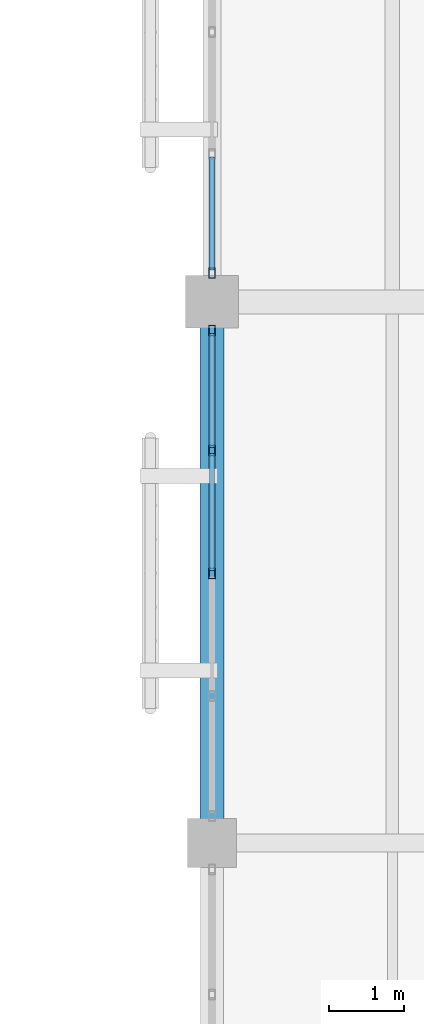
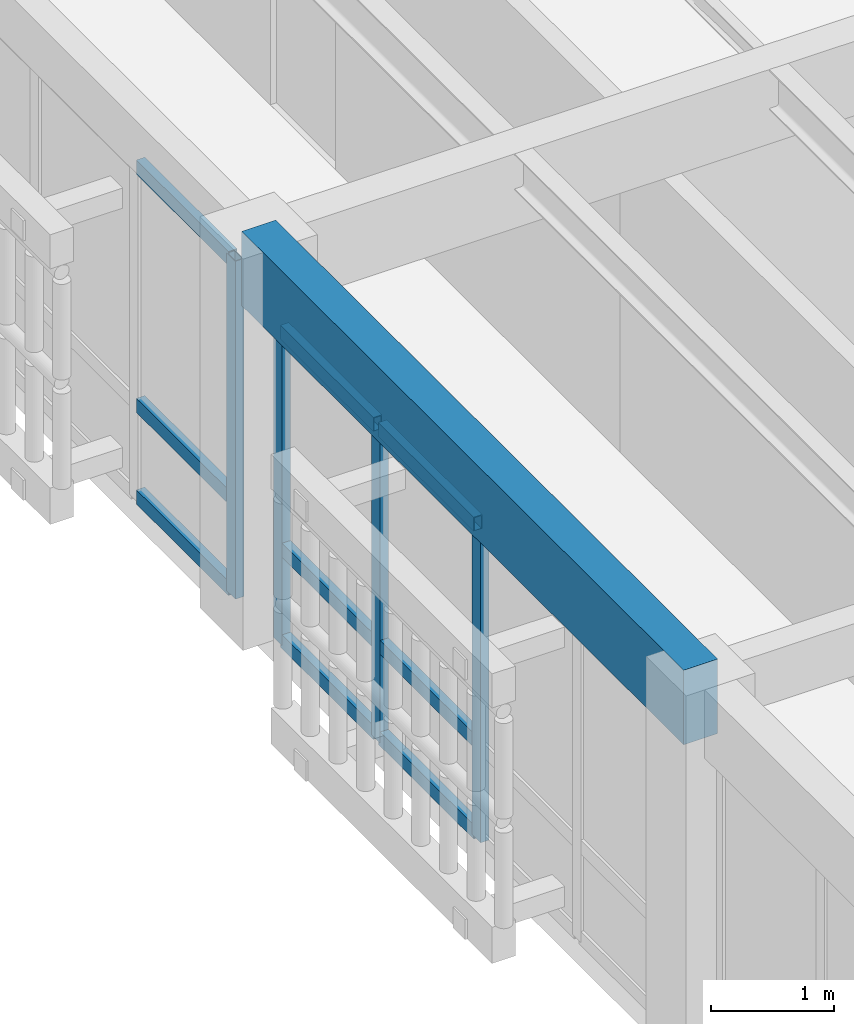
# One storey, part 37 of 170: 13 members, 1 beam, 2 elements without a shape of their own.
"""IFC4 building model written with IfcOpenShell, lengths in metres."""

from ifc_helpers import new_model, si_unit, direction, frame, origin, origin_2d, place, context, subcontext, project, spatial, rectangle, hollow_rectangle, extrude, material, layer, layer_set, material_profile, profile_set, type_object, element, aggregate, save


model = new_model("IFC4")

# Units and contexts
model_context = context("Model", 3, precision=1e-05, world=origin(), true_north=direction((0.0, 1.0)))
body_context = subcontext(model_context, "Body", "Model", "MODEL_VIEW")
ifc_project = project(units=[si_unit("LENGTHUNIT", "METRE"), si_unit("AREAUNIT", "SQUARE_METRE"), si_unit("VOLUMEUNIT", "CUBIC_METRE"), si_unit("PLANEANGLEUNIT", "RADIAN"), si_unit("MASSUNIT", "GRAM", prefix="KILO")], contexts=[model_context])

# Site, building, storey
site_placement = place(None, origin())
site = spatial("IfcSite", under=ifc_project, at=site_placement, CompositionType="ELEMENT")
building_placement = place(site_placement, origin())
building = spatial("IfcBuilding", under=site, at=building_placement, Name="Mazaris Harbour Polytechnic", CompositionType="ELEMENT")
storey_placement = place(building_placement, frame((0.0, 0.0, 5.39990234375)))
storey = spatial("IfcBuildingStorey", under=building, at=storey_placement, Name="L01", CompositionType="ELEMENT", Elevation=5.39990234375)

# Curtain wall, members
ifc_material_1 = material(Name="Anodised Bronze Aluminium and Low-E Glass", Category="aluminium")
ifc_layer = layer(ifc_material_1, 0.159912109375, Name="Anodised Bronze Aluminium and Low-E Glass")
ifc_layer_set = layer_set([ifc_layer], Name="Anodised Bronze Aluminium and Low-E Glass")
curtain_wall_type = type_object("IfcCurtainWallType", Name="Cloister Court Curtain Wall", PredefinedType="NOTDEFINED", material=ifc_layer_set)
curtain_wall_1_placement = place(storey_placement, origin())
curtain_wall_1 = element("IfcCurtainWall", 1, at=curtain_wall_1_placement, inside=storey, type_object=curtain_wall_type, Name="V4 L01 Curtain Wall 126", PredefinedType="NOTDEFINED")
ifc_material_2 = material(Name="Anodised Bronze Steel S355", Category="steel")
ifc_material_profile_1 = material_profile(ifc_material_2, hollow_rectangle(XDim=0.080078125, YDim=0.139892578125, WallThickness=0.00634765625, at=origin_2d()), Name="RHS 80x140x6.3")
ifc_profile_set_1 = profile_set([ifc_material_profile_1], Name="Anodised Bronze Steel S355")
member_type_1 = type_object("IfcMemberType", Name="Curtain Mullion RHS80x140", PredefinedType="MULLION", material=ifc_profile_set_1)
member_1_placement = place(storey_placement, frame((28.800048828125, 60.818115234375, 0.0), z_axis=(0.0, 0.0, 1.0), x_axis=(1.0, 0.0, 0.0)))
member_1 = element("IfcMember", 2, at=member_1_placement, type_object=member_type_1, Name="CW-02 mullion 1", PredefinedType="MULLION", context=body_context, shape_type="SweptSolid", body=[
    extrude(hollow_rectangle(XDim=0.080078125, YDim=0.139892578125, WallThickness=0.00634765625, at=origin_2d()), origin(), (0.0, 0.0, 1.0), 3.14013671875),
])
member_2_placement = place(storey_placement, frame((28.800048828125, 59.22265625, 0.0), z_axis=(0.0, 0.0, 1.0), x_axis=(1.0, 0.0, 0.0)))
member_2 = element("IfcMember", 3, at=member_2_placement, type_object=member_type_1, Name="CW-02 mullion 2", PredefinedType="MULLION", context=body_context, shape_type="SweptSolid", body=[
    extrude(hollow_rectangle(XDim=0.080078125, YDim=0.139892578125, WallThickness=0.00634765625, at=origin_2d()), origin(), (0.0, 0.0, 1.0), 3.14013671875),
])
member_3_placement = place(storey_placement, frame((28.800048828125, 57.58740234375, 0.0), z_axis=(0.0, 0.0, 1.0), x_axis=(1.0, 0.0, 0.0)))
member_3 = element("IfcMember", 4, at=member_3_placement, type_object=member_type_1, Name="CW-02 mullion 3", PredefinedType="MULLION", context=body_context, shape_type="SweptSolid", body=[
    extrude(hollow_rectangle(XDim=0.080078125, YDim=0.139892578125, WallThickness=0.00634765625, at=origin_2d()), origin(), (0.0, 0.0, 1.0), 3.14013671875),
])

# Curtain wall, member
curtain_wall_2_placement = place(storey_placement, origin())
curtain_wall_2 = element("IfcCurtainWall", 5, at=curtain_wall_2_placement, inside=storey, type_object=curtain_wall_type, Name="V4 L01 Curtain Wall 127", PredefinedType="NOTDEFINED")
member_4_placement = place(storey_placement, frame((28.800048828125, 61.58203125, 0.0), z_axis=(0.0, 0.0, 1.0), x_axis=(1.0, 0.0, 0.0)))
member_4 = element("IfcMember", 6, at=member_4_placement, type_object=member_type_1, Name="CW-02 mullion 5", PredefinedType="MULLION", context=body_context, shape_type="SweptSolid", body=[
    extrude(hollow_rectangle(XDim=0.080078125, YDim=0.139892578125, WallThickness=0.00634765625, at=origin_2d()), origin(), (0.0, 0.0, 1.0), 3.360107421875),
])

# Member
ifc_material_3 = material(Name="Anodised Bronze Steel S355", Category="steel")
ifc_material_profile_2 = material_profile(ifc_material_3, hollow_rectangle(XDim=0.080078125, YDim=0.139892578125, WallThickness=0.00634765625, at=origin_2d()), Name="RHS 80x140x6.3")
ifc_profile_set_2 = profile_set([ifc_material_profile_2], Name="Anodised Bronze Steel S355")
member_type_2 = type_object("IfcMemberType", Name="Curtain Transom RHS80x140", PredefinedType="USERDEFINED", material=ifc_profile_set_2)
member_5_placement = place(storey_placement, frame((28.800048828125, 60.778076171875, 0.0400390625), z_axis=(0.0, -1.0, 0.0), x_axis=(1.0, 0.0, 0.0)))
member_5 = element("IfcMember", 7, at=member_5_placement, type_object=member_type_2, Name="CW-02 transom 1.1", ObjectType="TRANSOM", PredefinedType="USERDEFINED", context=body_context, shape_type="SweptSolid", body=[
    extrude(hollow_rectangle(XDim=0.080078125, YDim=0.139892578125, WallThickness=0.00634765625, at=origin_2d()), origin(), (0.0, 0.0, 1.0), 1.515380859375),
])

member_6_placement = place(storey_placement, frame((28.800048828125, 60.778076171875, 0.9501953125), z_axis=(0.0, -1.0, 0.0), x_axis=(1.0, 0.0, 0.0)))
member_6 = element("IfcMember", 8, at=member_6_placement, type_object=member_type_2, Name="CW-02 transom 1.2", ObjectType="TRANSOM", PredefinedType="USERDEFINED", context=body_context, shape_type="SweptSolid", body=[
    extrude(hollow_rectangle(XDim=0.080078125, YDim=0.139892578125, WallThickness=0.00634765625, at=origin_2d()), origin(), (0.0, 0.0, 1.0), 1.515380859375),
])

member_7_placement = place(storey_placement, frame((28.800048828125, 60.778076171875, 3.10009765625), z_axis=(0.0, -1.0, 0.0), x_axis=(1.0, 0.0, 0.0)))
member_7 = element("IfcMember", 9, at=member_7_placement, type_object=member_type_2, Name="CW-02 transom 1.3", ObjectType="TRANSOM", PredefinedType="USERDEFINED", context=body_context, shape_type="SweptSolid", body=[
    extrude(hollow_rectangle(XDim=0.080078125, YDim=0.139892578125, WallThickness=0.00634765625, at=origin_2d()), origin(), (0.0, 0.0, 1.0), 1.515380859375),
])

member_8_placement = place(storey_placement, frame((28.800048828125, 59.182861328125, 0.0400390625), z_axis=(0.0, -1.0, 0.0), x_axis=(1.0, 0.0, 0.0)))
member_8 = element("IfcMember", 10, at=member_8_placement, type_object=member_type_2, Name="CW-02 transom 2.1", ObjectType="TRANSOM", PredefinedType="USERDEFINED", context=body_context, shape_type="SweptSolid", body=[
    extrude(hollow_rectangle(XDim=0.080078125, YDim=0.139892578125, WallThickness=0.00634765625, at=origin_2d()), origin(), (0.0, 0.0, 1.0), 1.555419921875),
])

member_9_placement = place(storey_placement, frame((28.800048828125, 59.182861328125, 0.9501953125), z_axis=(0.0, -1.0, 0.0), x_axis=(1.0, 0.0, 0.0)))
member_9 = element("IfcMember", 11, at=member_9_placement, type_object=member_type_2, Name="CW-02 transom 2.2", ObjectType="TRANSOM", PredefinedType="USERDEFINED", context=body_context, shape_type="SweptSolid", body=[
    extrude(hollow_rectangle(XDim=0.080078125, YDim=0.139892578125, WallThickness=0.00634765625, at=origin_2d()), origin(), (0.0, 0.0, 1.0), 1.555419921875),
])

member_10_placement = place(storey_placement, frame((28.800048828125, 59.182861328125, 3.10009765625), z_axis=(0.0, -1.0, 0.0), x_axis=(1.0, 0.0, 0.0)))
member_10 = element("IfcMember", 12, at=member_10_placement, type_object=member_type_2, Name="CW-02 transom 2.3", ObjectType="TRANSOM", PredefinedType="USERDEFINED", context=body_context, shape_type="SweptSolid", body=[
    extrude(hollow_rectangle(XDim=0.080078125, YDim=0.139892578125, WallThickness=0.00634765625, at=origin_2d()), origin(), (0.0, 0.0, 1.0), 1.555419921875),
])

aggregate(curtain_wall_1, [member_1, member_2, member_3, member_5, member_6, member_7, member_8, member_9, member_10])

member_11_placement = place(storey_placement, frame((28.800048828125, 63.124755859375, 0.0400390625), z_axis=(0.0, -1.0, 0.0), x_axis=(1.0, 0.0, 0.0)))
member_11 = element("IfcMember", 13, at=member_11_placement, type_object=member_type_2, Name="CW-02 transom 4.1", ObjectType="TRANSOM", PredefinedType="USERDEFINED", context=body_context, shape_type="SweptSolid", body=[
    extrude(hollow_rectangle(XDim=0.080078125, YDim=0.139892578125, WallThickness=0.00634765625, at=origin_2d()), origin(), (0.0, 0.0, 1.0), 1.502685546875),
])

member_12_placement = place(storey_placement, frame((28.800048828125, 63.124755859375, 0.9501953125), z_axis=(0.0, -1.0, 0.0), x_axis=(1.0, 0.0, 0.0)))
member_12 = element("IfcMember", 14, at=member_12_placement, type_object=member_type_2, Name="CW-02 transom 4.2", ObjectType="TRANSOM", PredefinedType="USERDEFINED", context=body_context, shape_type="SweptSolid", body=[
    extrude(hollow_rectangle(XDim=0.080078125, YDim=0.139892578125, WallThickness=0.00634765625, at=origin_2d()), origin(), (0.0, 0.0, 1.0), 1.502685546875),
])

member_13_placement = place(storey_placement, frame((28.800048828125, 63.124755859375, 3.320068359375), z_axis=(0.0, -1.0, 0.0), x_axis=(1.0, 0.0, 0.0)))
member_13 = element("IfcMember", 15, at=member_13_placement, type_object=member_type_2, Name="CW-02 transom 4.3", ObjectType="TRANSOM", PredefinedType="USERDEFINED", context=body_context, shape_type="SweptSolid", body=[
    extrude(hollow_rectangle(XDim=0.080078125, YDim=0.139892578125, WallThickness=0.00634765625, at=origin_2d()), origin(), (0.0, 0.0, 1.0), 1.502685546875),
])

aggregate(curtain_wall_2, [member_4, member_11, member_12, member_13])

# Beam
ifc_material_4 = material(Name="Glulam GL32h", Category="wood")
ifc_material_profile_3 = material_profile(ifc_material_4, rectangle(XDim=0.320068359375, YDim=0.739990234375, at=origin_2d()), Name="RECT320x740")
ifc_profile_set_3 = profile_set([ifc_material_profile_3], Name="Glulam GL32h")
beam_type = type_object("IfcBeamType", Name="Glulam Girder 320x740", PredefinedType="BEAM", material=ifc_profile_set_3)
beam_placement = place(storey_placement, frame((28.800048828125, 54.0, 3.52001953125), z_axis=(0.0, 1.0, 0.0), x_axis=(-1.0, 0.0, 0.0)))
element("IfcBeam", 16, at=beam_placement, inside=storey, type_object=beam_type, Name="V4 L01 Tie Girder 1744", PredefinedType="BEAM", context=body_context, shape_type="SweptSolid", body=[
    extrude(rectangle(XDim=0.320068359375, YDim=0.739990234375, at=origin_2d()), origin(), (0.0, 0.0, 1.0), 7.199951171875),
])

save(model, "model.ifc")
